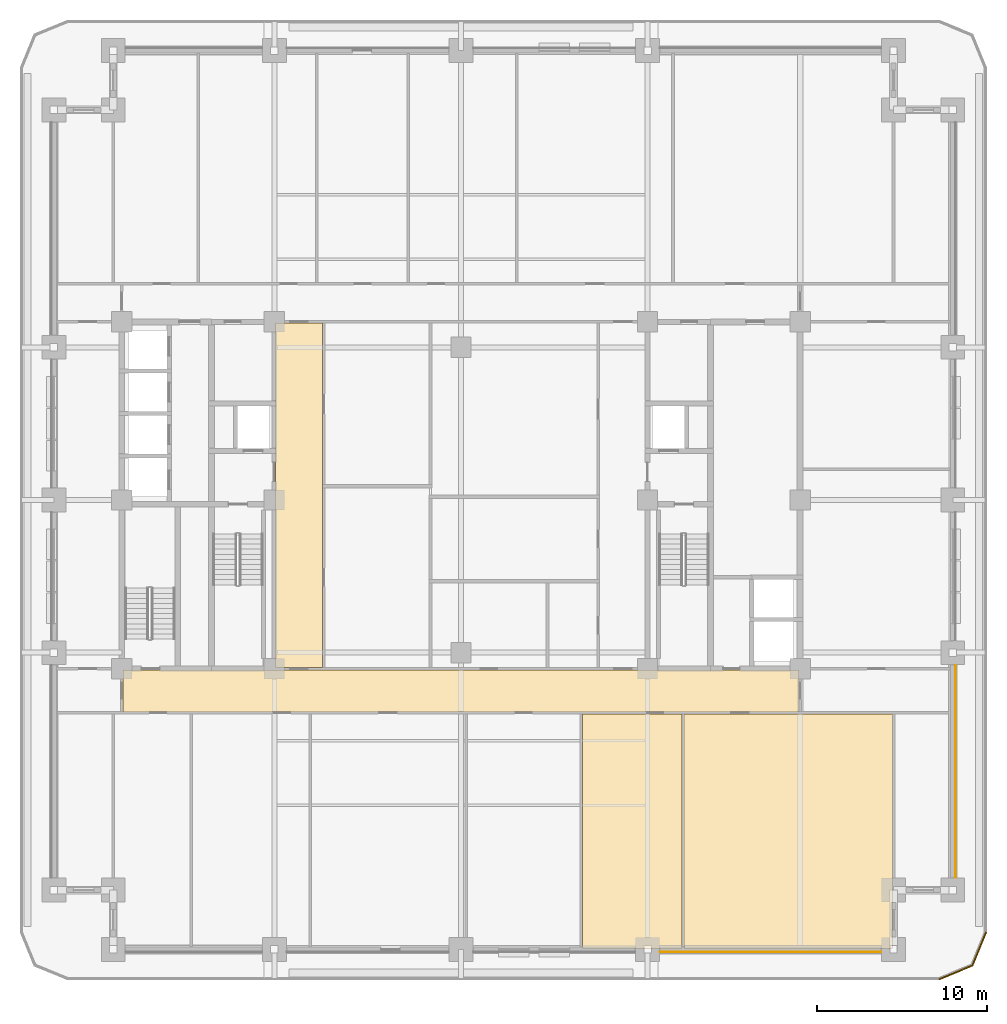
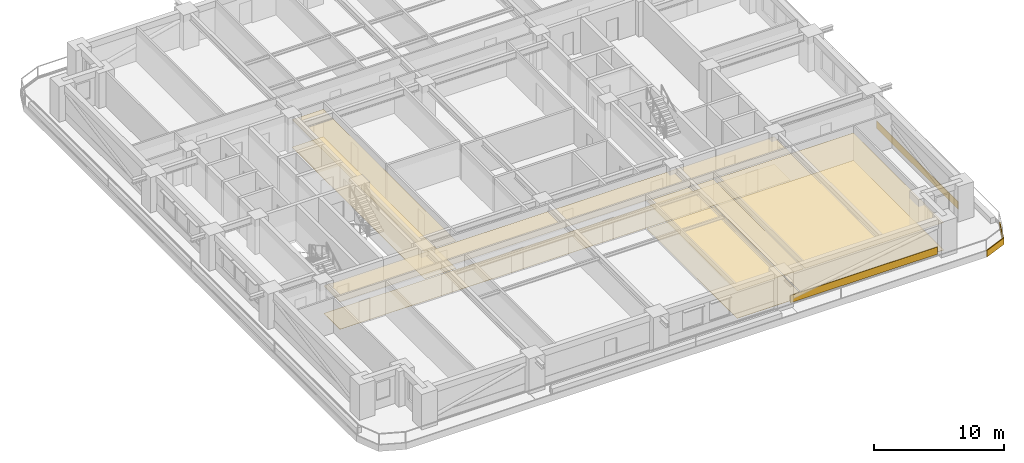
# One storey, part 11 of 14: 12 coverings.
"""IFC4 building model written with IfcOpenShell, lengths in metres."""

from ifc_helpers import new_model, si_unit, direction, frame, frame_2d, origin, place, context, subcontext, project, spatial, polyline, rectangle, outline, extrude, material, layer, layer_set, type_object, element, save


model = new_model("IFC4")

# Units and contexts
model_context = context("Model", 3, precision=1e-05, world=origin(), true_north=direction((0.0, 1.0)))
body_context = subcontext(model_context, "Body", "Model", "MODEL_VIEW")
ifc_project = project(units=[si_unit("LENGTHUNIT", "METRE"), si_unit("AREAUNIT", "SQUARE_METRE"), si_unit("VOLUMEUNIT", "CUBIC_METRE"), si_unit("PLANEANGLEUNIT", "RADIAN"), si_unit("MASSUNIT", "GRAM", prefix="KILO")], contexts=[model_context])

# Site, building, storey
site_placement = place(None, origin())
site = spatial("IfcSite", under=ifc_project, at=site_placement, CompositionType="ELEMENT")
building_placement = place(site_placement, origin())
building = spatial("IfcBuilding", under=site, at=building_placement, Name="Zulmaris Gate Convention Tower", CompositionType="ELEMENT")
storey_placement = place(building_placement, frame((0.0, 0.0, 30.77001953125)))
storey = spatial("IfcBuildingStorey", under=building, at=storey_placement, Name="L06", CompositionType="ELEMENT", Elevation=30.77001953125)

# Coverings
ifc_material_1 = material(Name="Precast concrete C40/50", Category="concrete")
ifc_layer_1 = layer(ifc_material_1, 0.0400390625, Name="Precast concrete C40/50")
ifc_layer_set_1 = layer_set([ifc_layer_1], Name="Precast concrete C40/50")
covering_type_1 = type_object("IfcCoveringType", Name="CLAD-SPANDREL-PRECAST", PredefinedType="CLADDING", material=ifc_layer_set_1)
covering_1_placement = place(storey_placement, frame((11.72998046875, -26.64990234375, 0.0), z_axis=(0.0, 0.0, 1.0), x_axis=(1.0, 0.0, 0.0)))
element("IfcCovering", 1, at=covering_1_placement, inside=storey, type_object=covering_type_1, Name="CLD-L06-S-3_0", PredefinedType="CLADDING", context=body_context, shape_type="SweptSolid", body=[
    extrude(rectangle(XDim=13.0400390625, YDim=0.0400390625, at=frame_2d((6.52001953125, 0.0))), origin(), (0.0, 0.0, 1.0), 0.679931640625),
])
covering_2_placement = place(storey_placement, frame((29.14990234375, -22.27001953125, 0.0), z_axis=(0.0, 0.0, 1.0), x_axis=(0.0, 1.0, 0.0)))
element("IfcCovering", 2, at=covering_2_placement, inside=storey, type_object=covering_type_1, Name="CLD-L06-E-0_0", PredefinedType="CLADDING", context=body_context, shape_type="SweptSolid", body=[
    extrude(rectangle(XDim=12.5400390625, YDim=0.0400390625, at=frame_2d((6.27001953125, 0.0))), origin(), (0.0, 0.0, 1.0), 0.679931640625),
])
ifc_material_2 = material(Name="White Glazed Architectural Precast Concrete C40/50", Category="concrete")
ifc_layer_2 = layer(ifc_material_2, 0.080078125, Name="White Glazed Architectural Precast Concrete C40/50")
ifc_layer_set_2 = layer_set([ifc_layer_2], Name="White Glazed Architectural Precast Concrete C40/50")
covering_type_2 = type_object("IfcCoveringType", Name="CLAD-TRAY-FASCIA", PredefinedType="CLADDING", material=ifc_layer_set_2)
covering_3_placement = place(storey_placement, frame((28.184814453125, -28.262939453125, -0.489990234375), z_axis=(0.0, 0.0, 1.0), x_axis=(0.923873803533, 0.382697263049, 0.0)))
element("IfcCovering", 3, at=covering_3_placement, inside=storey, type_object=covering_type_2, Name="FSC-L06-TR-03", PredefinedType="CLADDING", context=body_context, shape_type="SweptSolid", body=[
    extrude(rectangle(XDim=2.142822265625, YDim=0.080078125, at=frame_2d((1.0712890625, 0.0))), origin(), (0.0, 0.0, 1.0), 0.60986328125),
])
covering_4_placement = place(storey_placement, frame((30.142822265625, -27.464599609375, -0.489990234375), z_axis=(0.0, 0.0, 1.0), x_axis=(0.382656984709, 0.923890487046, 0.0)))
element("IfcCovering", 4, at=covering_4_placement, inside=storey, type_object=covering_type_2, Name="FSC-L06-TR-04", PredefinedType="CLADDING", context=body_context, shape_type="SweptSolid", body=[
    extrude(rectangle(XDim=2.14306640625, YDim=0.080078125, at=frame_2d((1.071533203125, 0.0))), origin(), (0.0, 0.0, 1.0), 0.60986328125),
])
ifc_material_3 = material(Name="Mineral Fibre Acoustic Ceiling Tile")
ifc_layer_3 = layer(ifc_material_3, 0.02001953125, Name="Mineral Fibre Acoustic Ceiling Tile")
ifc_layer_set_3 = layer_set([ifc_layer_3], Name="Mineral Fibre Acoustic Ceiling Tile")
covering_type_3 = type_object("IfcCoveringType", Name="CLG-ACOUSTIC-600", PredefinedType="CEILING", material=ifc_layer_set_3)
covering_5_placement = place(storey_placement, frame((0.0, 0.0, 2.578125)))
element("IfcCovering", 5, at=covering_5_placement, inside=storey, type_object=covering_type_3, Name="CLG-L06-R27", PredefinedType="CEILING", context=body_context, shape_type="SweptSolid", body=[
    extrude(outline(polyline([(-19.93994140625, -12.489990234375), (19.93994140625, -12.489990234375), (19.93994140625, -10.010009765625), (-19.93994140625, -10.010009765625), (-19.93994140625, -12.489990234375)])), origin(), (0.0, 0.0, 1.0), 0.02001953125),
])
covering_6_placement = place(storey_placement, frame((0.0, 0.0, 2.578125)))
element("IfcCovering", 6, at=covering_6_placement, inside=storey, type_object=covering_type_3, Name="CLG-L06-R28", PredefinedType="CEILING", context=body_context, shape_type="SweptSolid", body=[
    extrude(outline(polyline([(-10.93994140625, -9.889892578125), (-8.159912109375, -9.889892578125), (-8.159912109375, 10.43994140625), (-10.93994140625, 10.43994140625), (-10.93994140625, -9.889892578125)])), origin(), (0.0, 0.0, 1.0), 0.02001953125),
])
covering_7_placement = place(storey_placement, frame((0.0, 0.0, 2.578125)))
element("IfcCovering", 7, at=covering_7_placement, inside=storey, type_object=covering_type_3, Name="CLG-L06-R40", PredefinedType="CEILING", context=body_context, shape_type="SweptSolid", body=[
    extrude(outline(polyline([(7.159912109375, -26.43994140625), (13.0400390625, -26.43994140625), (13.0400390625, -12.610107421875), (7.159912109375, -12.610107421875), (7.159912109375, -26.43994140625)])), origin(), (0.0, 0.0, 1.0), 0.02001953125),
])
covering_8_placement = place(storey_placement, frame((0.0, 0.0, 2.578125)))
element("IfcCovering", 8, at=covering_8_placement, inside=storey, type_object=covering_type_3, Name="CLG-L06-R41", PredefinedType="CEILING", context=body_context, shape_type="SweptSolid", body=[
    extrude(outline(polyline([(13.159912109375, -26.43994140625), (25.43994140625, -26.43994140625), (25.43994140625, -12.610107421875), (13.159912109375, -12.610107421875), (13.159912109375, -26.43994140625)])), origin(), (0.0, 0.0, 1.0), 0.02001953125),
])
ifc_material_4 = material(Name="Woven Acoustic Wool Carpet Tile")
ifc_layer_4 = layer(ifc_material_4, 0.02001953125, Name="Woven Acoustic Wool Carpet Tile")
ifc_layer_set_4 = layer_set([ifc_layer_4], Name="Woven Acoustic Wool Carpet Tile")
covering_type_4 = type_object("IfcCoveringType", Name="FLR-CARPET-12", PredefinedType="FLOORING", material=ifc_layer_set_4)
covering_9_placement = place(storey_placement, origin())
element("IfcCovering", 9, at=covering_9_placement, inside=storey, type_object=covering_type_4, Name="FLR-L06-R27", PredefinedType="FLOORING", context=body_context, shape_type="SweptSolid", body=[
    extrude(outline(polyline([(-19.93994140625, -12.489990234375), (19.93994140625, -12.489990234375), (19.93994140625, -10.010009765625), (-19.93994140625, -10.010009765625), (-19.93994140625, -12.489990234375)])), origin(), (0.0, 0.0, 1.0), 0.02001953125),
])
covering_10_placement = place(storey_placement, origin())
element("IfcCovering", 10, at=covering_10_placement, inside=storey, type_object=covering_type_4, Name="FLR-L06-R28", PredefinedType="FLOORING", context=body_context, shape_type="SweptSolid", body=[
    extrude(outline(polyline([(-10.93994140625, -9.889892578125), (-8.159912109375, -9.889892578125), (-8.159912109375, 10.43994140625), (-10.93994140625, 10.43994140625), (-10.93994140625, -9.889892578125)])), origin(), (0.0, 0.0, 1.0), 0.02001953125),
])
covering_11_placement = place(storey_placement, origin())
element("IfcCovering", 11, at=covering_11_placement, inside=storey, type_object=covering_type_4, Name="FLR-L06-R40", PredefinedType="FLOORING", context=body_context, shape_type="SweptSolid", body=[
    extrude(outline(polyline([(7.159912109375, -26.43994140625), (13.0400390625, -26.43994140625), (13.0400390625, -12.610107421875), (7.159912109375, -12.610107421875), (7.159912109375, -26.43994140625)])), origin(), (0.0, 0.0, 1.0), 0.02001953125),
])
covering_12_placement = place(storey_placement, origin())
element("IfcCovering", 12, at=covering_12_placement, inside=storey, type_object=covering_type_4, Name="FLR-L06-R41", PredefinedType="FLOORING", context=body_context, shape_type="SweptSolid", body=[
    extrude(outline(polyline([(13.159912109375, -26.43994140625), (25.43994140625, -26.43994140625), (25.43994140625, -12.610107421875), (13.159912109375, -12.610107421875), (13.159912109375, -26.43994140625)])), origin(), (0.0, 0.0, 1.0), 0.02001953125),
])

save(model, "model.ifc")
